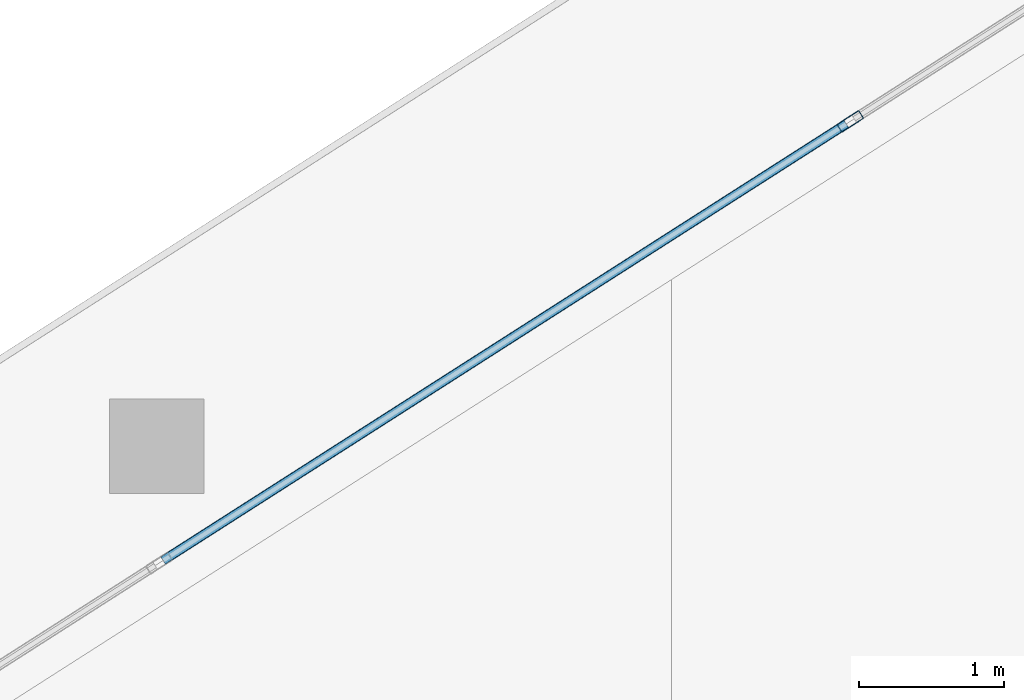
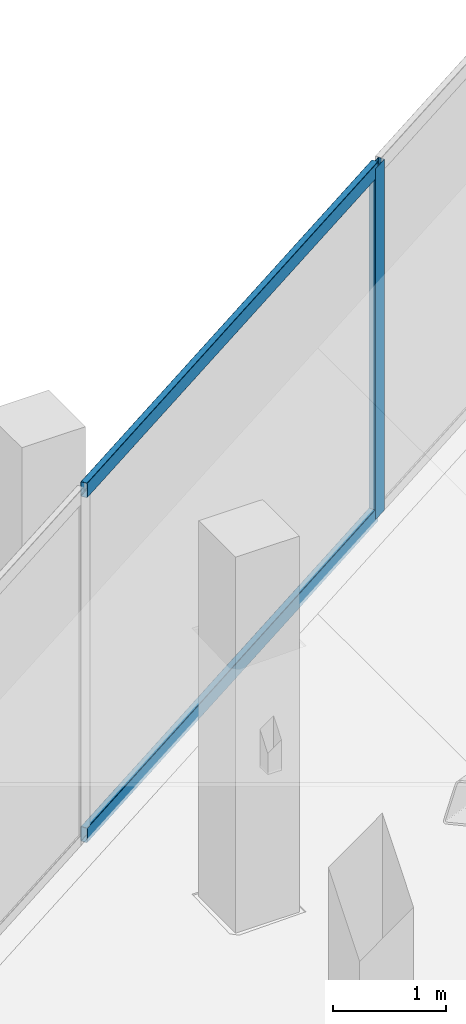
# One storey, part 18 of 39: 3 members, 1 element without a shape of its own.
"""IFC4 building model written with IfcOpenShell, lengths in metres."""

from ifc_helpers import new_model, si_unit, direction, frame, origin, origin_2d, place, context, subcontext, project, spatial, hollow_rectangle, extrude, material, layer, layer_set, material_profile, profile_set, type_object, element, aggregate, save


model = new_model("IFC4")

# Units and contexts
model_context = context("Model", 3, precision=1e-05, world=origin(), true_north=direction((0.0, 1.0)))
body_context = subcontext(model_context, "Body", "Model", "MODEL_VIEW")
ifc_project = project(units=[si_unit("LENGTHUNIT", "METRE"), si_unit("AREAUNIT", "SQUARE_METRE"), si_unit("VOLUMEUNIT", "CUBIC_METRE"), si_unit("PLANEANGLEUNIT", "RADIAN"), si_unit("MASSUNIT", "GRAM", prefix="KILO")], contexts=[model_context])

# Site, building, storey
site_placement = place(None, origin())
site = spatial("IfcSite", under=ifc_project, at=site_placement, CompositionType="ELEMENT")
building_placement = place(site_placement, origin())
building = spatial("IfcBuilding", under=site, at=building_placement, Name="Qorvath Tower", CompositionType="ELEMENT")
storey_placement = place(building_placement, frame((0.0, 0.0, 201.0)))
storey = spatial("IfcBuildingStorey", under=building, at=storey_placement, Name="L46", CompositionType="ELEMENT", Elevation=201.0)

# Curtain wall, members
ifc_material_1 = material(Name="Anodised aluminium and triple low-E glass", Category="aluminium")
ifc_layer = layer(ifc_material_1, 0.179931640625)
ifc_layer_set = layer_set([ifc_layer], Name="CW-SYS-3")
curtain_wall_type = type_object("IfcCurtainWallType", Name="CW-SYS-3", PredefinedType="NOTDEFINED", material=ifc_layer_set)
curtain_wall_placement = place(storey_placement, origin())
curtain_wall = element("IfcCurtainWall", 1, at=curtain_wall_placement, inside=storey, type_object=curtain_wall_type, Name="Curtain Wall CW-3 CW-T-L46-16.1", PredefinedType="NOTDEFINED")
ifc_material_2 = material(Name="Anodised aluminium 6063-T6", Category="aluminium")
ifc_material_profile_1 = material_profile(ifc_material_2, hollow_rectangle(XDim=0.06494140625, YDim=0.179931640625, WallThickness=0.00341796875, InnerFilletRadius=0.00341796875, OuterFilletRadius=0.007080078125, at=origin_2d()), Name="CWM 180x65")
ifc_profile_set_1 = profile_set([ifc_material_profile_1], Name="Anodised aluminium 6063-T6")
member_type_1 = type_object("IfcMemberType", Name="CWM-180", PredefinedType="MULLION", material=ifc_profile_set_1)
member_1_placement = place(storey_placement, frame((-26.247802734375, 21.696044921875, 0.0), z_axis=(0.0, 0.0, 1.0), x_axis=(0.538533623725, -0.842604020948, 0.0)))
member_1 = element("IfcMember", 2, at=member_1_placement, type_object=member_type_1, Name="CW-3 mullion 3", PredefinedType="MULLION", context=body_context, shape_type="SweptSolid", body=[
    extrude(hollow_rectangle(XDim=0.06494140625, YDim=0.179931640625, WallThickness=0.00341796875, InnerFilletRadius=0.00341796875, OuterFilletRadius=0.007080078125, at=origin_2d()), origin(), (0.0, 0.0, 1.0), 3.780029296875),
])
ifc_material_3 = material(Name="Anodised aluminium 6063-T6", Category="aluminium")
ifc_material_profile_2 = material_profile(ifc_material_3, hollow_rectangle(XDim=0.06494140625, YDim=0.159912109375, WallThickness=0.00341796875, InnerFilletRadius=0.00341796875, OuterFilletRadius=0.007080078125, at=origin_2d()), Name="CWT 160x65")
ifc_profile_set_2 = profile_set([ifc_material_profile_2], Name="Anodised aluminium 6063-T6")
member_type_2 = type_object("IfcMemberType", Name="CWT-160", PredefinedType="USERDEFINED", material=ifc_profile_set_2)
member_2_placement = place(storey_placement, frame((-26.275146484375, 21.6787109375, 0.032470703125), z_axis=(-0.842606844645, -0.538529205667, 0.0), x_axis=(0.538529205667, -0.842606844645, 0.0)))
member_2 = element("IfcMember", 3, at=member_2_placement, type_object=member_type_2, Name="CW-3 transom 3.1", ObjectType="TRANSOM", PredefinedType="USERDEFINED", context=body_context, shape_type="SweptSolid", body=[
    extrude(hollow_rectangle(XDim=0.06494140625, YDim=0.159912109375, WallThickness=0.00341796875, InnerFilletRadius=0.00341796875, OuterFilletRadius=0.007080078125, at=origin_2d()), origin(), (0.0, 0.0, 1.0), 5.5751953125),
])
member_3_placement = place(storey_placement, frame((-26.275146484375, 21.6787109375, 3.74755859375), z_axis=(-0.842606844645, -0.538529205667, 0.0), x_axis=(0.538529205667, -0.842606844645, 0.0)))
member_3 = element("IfcMember", 4, at=member_3_placement, type_object=member_type_2, Name="CW-3 transom 3.2", ObjectType="TRANSOM", PredefinedType="USERDEFINED", context=body_context, shape_type="SweptSolid", body=[
    extrude(hollow_rectangle(XDim=0.06494140625, YDim=0.159912109375, WallThickness=0.00341796875, InnerFilletRadius=0.00341796875, OuterFilletRadius=0.007080078125, at=origin_2d()), origin(), (0.0, 0.0, 1.0), 5.5751953125),
])
aggregate(curtain_wall, [member_1, member_2, member_3])

save(model, "model.ifc")
